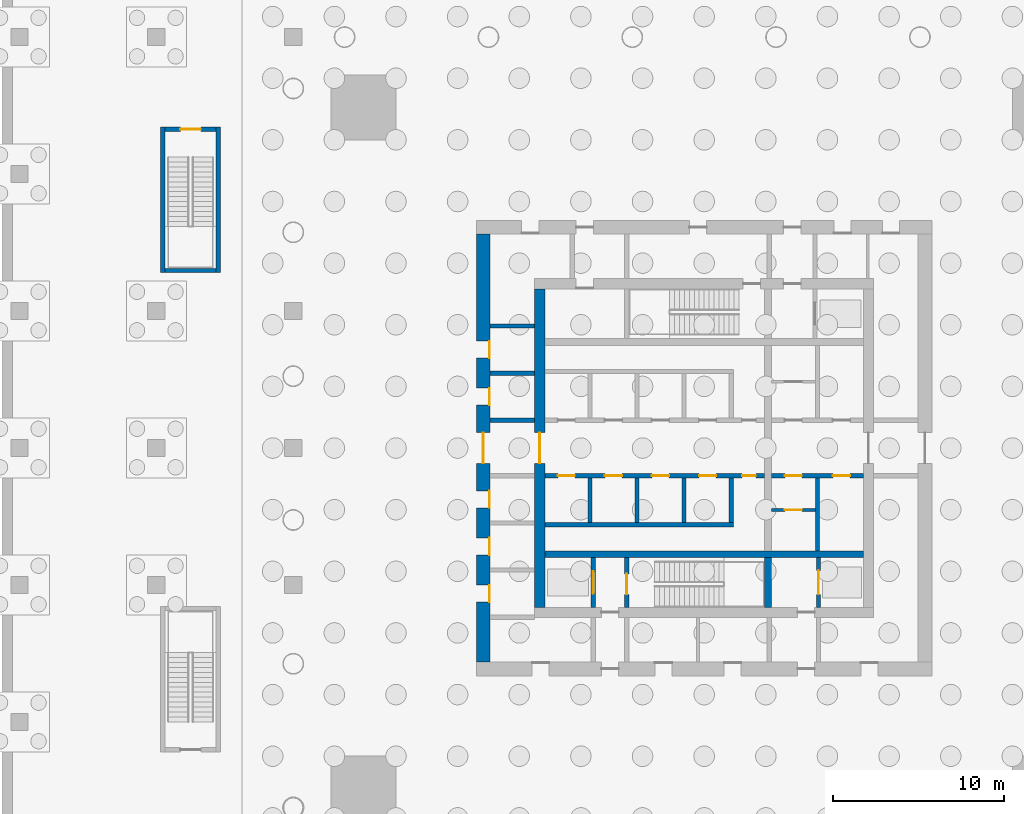
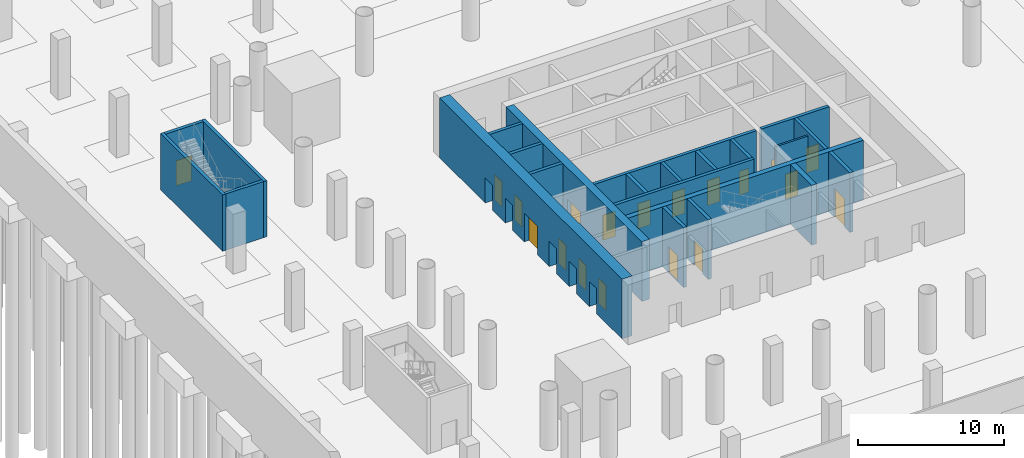
# One storey, part 12 of 24: 23 walls, 19 doors, 19 openings.
"""IFC4 building model written with IfcOpenShell, lengths in metres."""

from ifc_helpers import new_model, si_unit, direction, frame, frame_2d, origin, place, context, subcontext, project, spatial, rectangle, extrude, material, layer, layer_set, type_object, element, fill, save


model = new_model("IFC4")

# Units and contexts
model_context = context("Model", 3, precision=1e-05, world=origin(), true_north=direction((0.0, 1.0)))
body_context = subcontext(model_context, "Body", "Model", "MODEL_VIEW")
ifc_project = project(units=[si_unit("LENGTHUNIT", "METRE"), si_unit("AREAUNIT", "SQUARE_METRE"), si_unit("VOLUMEUNIT", "CUBIC_METRE"), si_unit("PLANEANGLEUNIT", "RADIAN"), si_unit("MASSUNIT", "GRAM", prefix="KILO")], contexts=[model_context])

# Site, building, storey
site_placement = place(None, origin())
site = spatial("IfcSite", under=ifc_project, at=site_placement, CompositionType="ELEMENT")
building_placement = place(site_placement, origin())
building = spatial("IfcBuilding", under=site, at=building_placement, Name="Ostroluk Exchange", CompositionType="ELEMENT")
storey_placement = place(building_placement, frame((0.0, 0.0, -10.0)))
storey = spatial("IfcBuildingStorey", under=building, at=storey_placement, Name="B2", CompositionType="ELEMENT", Elevation=-10.0)

# Wall, opening, door
ifc_material_1 = material(Name="Concrete blockwork", Category="masonry")
ifc_layer_1 = layer(ifc_material_1, 0.14990234375)
ifc_layer_set_1 = layer_set([ifc_layer_1], Name="Blockwork plant room wall 150")
wall_type_1 = type_object("IfcWallType", Name="Blockwork plant room wall 150", PredefinedType="SOLIDWALL", material=ifc_layer_set_1)
wall_1_placement = place(storey_placement, frame((48.929931640625, 42.3798828125, 0.0), z_axis=(0.0, 0.0, 1.0), x_axis=(1.0, 0.0, 0.0)))
wall_1 = element("IfcWall", 1, at=wall_1_placement, inside=storey, type_object=wall_type_1, Name="Core room wall", PredefinedType="SOLIDWALL", context=body_context, shape_type="SweptSolid", body=[
    extrude(rectangle(XDim=2.56005859375, YDim=0.14990234375, at=frame_2d((1.280029296875, 0.0))), origin(), (0.0, 0.0, 1.0), 4.699951171875),
])
opening_1_placement = place(wall_1_placement, frame((0.780029296875, 0.0, 0.0)))
opening_1 = element("IfcOpeningElement", 2, at=opening_1_placement, cuts=wall_1, Name="Opening FD60", PredefinedType="OPENING", context=body_context, shape_type="SweptSolid", body=[
    extrude(rectangle(XDim=1.0, YDim=2.10009765625, at=frame_2d((0.5, 1.050048828125))), frame((0.0, 0.0849609375, 0.0), z_axis=(0.0, -1.0, 0.0), x_axis=(1.0, 0.0, 0.0)), (0.0, 0.0, 1.0), 0.169921875),
])
ifc_material_2 = material(Name="Steel", Category="steel")
door_type_1 = type_object("IfcDoorType", Name="Fire door EI 60 1000 x 2100", OperationType="SINGLE_SWING_LEFT", PredefinedType="DOOR", material=ifc_material_2)
door_1_placement = place(opening_1_placement, origin())
door_1 = element("IfcDoor", 3, at=door_1_placement, inside=storey, type_object=door_type_1, Name="Cleaner's store door", OperationType="SINGLE_SWING_LEFT", OverallHeight=2.10009765625, OverallWidth=1.0, PredefinedType="DOOR", context=body_context, shape_type="SweptSolid", body=[
    extrude(rectangle(XDim=1.0, YDim=2.10009765625, at=frame_2d((0.5, 1.050048828125))), frame((0.0, 0.02490234375, 0.0), z_axis=(0.0, -1.0, 0.0), x_axis=(1.0, 0.0, 0.0)), (0.0, 0.0, 1.0), 0.050048828125),
])
fill(opening_1, door_1)

# Walls
ifc_material_3 = material(Name="Concrete blockwork", Category="masonry")
ifc_layer_2 = layer(ifc_material_3, 0.25)
ifc_layer_set_2 = layer_set([ifc_layer_2], Name="Blockwork stair enclosure wall 250")
wall_type_2 = type_object("IfcWallType", Name="Blockwork stair enclosure wall 250", PredefinedType="SOLIDWALL", material=ifc_layer_set_2)
for number, where, z_axis, x_axis, name in (
    (4, (13.375, 56.25, 0.0), (0.0, 0.0, 1.0), (0.0, 1.0, 0.0), "Stair PS2 enclosure wall"),
    (5, (16.625, 56.25, 0.0), (0.0, 0.0, 1.0), (0.0, 1.0, 0.0), "Stair PS2 enclosure wall"),
):
    element("IfcWall", number, at=place(storey_placement, frame(where, z_axis=z_axis, x_axis=x_axis)), inside=storey, type_object=wall_type_2, Name=name, PredefinedType="SOLIDWALL", context=body_context, shape_type="SweptSolid", body=[
        extrude(rectangle(XDim=8.5, YDim=0.25, at=frame_2d((4.25, 0.0))), origin(), (0.0, 0.0, 1.0), 4.699951171875),
    ])
wall_2_placement = place(storey_placement, frame((13.5, 56.375, 0.0), z_axis=(0.0, 0.0, 1.0), x_axis=(1.0, 0.0, 0.0)))
element("IfcWall", 6, at=wall_2_placement, inside=storey, type_object=wall_type_2, Name="Stair PS2 enclosure wall", PredefinedType="SOLIDWALL", context=body_context, shape_type="SweptSolid", body=[
    extrude(rectangle(XDim=3.0, YDim=0.25, at=frame_2d((1.5, 0.0))), origin(), (0.0, 0.0, 1.0), 4.699951171875),
])

# Wall, opening, door
wall_3_placement = place(storey_placement, frame((13.5, 64.625, 0.0), z_axis=(0.0, 0.0, 1.0), x_axis=(1.0, 0.0, 0.0)))
wall_3 = element("IfcWall", 7, at=wall_3_placement, inside=storey, type_object=wall_type_2, Name="Stair PS2 enclosure wall", PredefinedType="SOLIDWALL", context=body_context, shape_type="SweptSolid", body=[
    extrude(rectangle(XDim=3.0, YDim=0.25, at=frame_2d((1.5, 0.0))), origin(), (0.0, 0.0, 1.0), 4.699951171875),
])
opening_2_placement = place(wall_3_placement, frame((0.89990234375, 0.0, 0.0)))
opening_2 = element("IfcOpeningElement", 8, at=opening_2_placement, cuts=wall_3, Name="Opening FD60S", PredefinedType="OPENING", context=body_context, shape_type="SweptSolid", body=[
    extrude(rectangle(XDim=1.199951171875, YDim=2.10009765625, at=frame_2d((0.60009765625, 1.050048828125))), frame((0.0, 0.135009765625, 0.0), z_axis=(0.0, -1.0, 0.0), x_axis=(1.0, 0.0, 0.0)), (0.0, 0.0, 1.0), 0.27001953125),
])
ifc_material_4 = material(Name="Steel", Category="steel")
door_type_2 = type_object("IfcDoorType", Name="Stair door EI 60 1200 x 2100", OperationType="SINGLE_SWING_LEFT", PredefinedType="DOOR", material=ifc_material_4)
door_2_placement = place(opening_2_placement, origin())
door_2 = element("IfcDoor", 9, at=door_2_placement, inside=storey, type_object=door_type_2, Name="Stair PS2 door", OperationType="SINGLE_SWING_LEFT", OverallHeight=2.10009765625, OverallWidth=1.199951171875, PredefinedType="DOOR", context=body_context, shape_type="SweptSolid", body=[
    extrude(rectangle(XDim=1.199951171875, YDim=2.10009765625, at=frame_2d((0.60009765625, 1.050048828125))), frame((0.0, 0.02490234375, 0.0), z_axis=(0.0, -1.0, 0.0), x_axis=(1.0, 0.0, 0.0)), (0.0, 0.0, 1.0), 0.050048828125),
])
fill(opening_2, door_2)

# Walls
ifc_material_5 = material(Name="Concrete C50/60", Category="concrete")
ifc_layer_3 = layer(ifc_material_5, 0.39990234375)
ifc_layer_set_3 = layer_set([ifc_layer_3], Name="Core cross wall 400 C50/60")
wall_type_3 = type_object("IfcWallType", Name="Core cross wall 400 C50/60", PredefinedType="SHEAR", material=ifc_layer_set_3)
wall_4_placement = place(storey_placement, frame((35.699951171875, 39.800048828125, 0.0), z_axis=(0.0, 0.0, 1.0), x_axis=(1.0, 0.0, 0.0)))
element("IfcWall", 10, at=wall_4_placement, inside=storey, type_object=wall_type_3, Name="T1 core wall XS", PredefinedType="SHEAR", context=body_context, shape_type="SweptSolid", body=[
    extrude(rectangle(XDim=18.60009765625, YDim=0.39990234375, at=frame_2d((9.300048828125, 0.0))), origin(), (0.0, 0.0, 1.0), 5.0),
])
wall_5_placement = place(storey_placement, frame((48.72998046875, 36.699951171875, 0.0), z_axis=(0.0, 0.0, 1.0), x_axis=(0.0, 1.0, 0.0)))
element("IfcWall", 11, at=wall_5_placement, inside=storey, type_object=wall_type_3, Name="T1 core wall YE1", PredefinedType="SHEAR", context=body_context, shape_type="SweptSolid", body=[
    extrude(rectangle(XDim=2.900146484375, YDim=0.39990234375, at=frame_2d((1.4501953125, 0.0))), origin(), (0.0, 0.0, 1.0), 5.0),
])

# Wall, opening, door
ifc_material_6 = material(Name="Concrete C40/50", Category="concrete")
ifc_layer_4 = layer(ifc_material_6, 0.25)
ifc_layer_set_4 = layer_set([ifc_layer_4], Name="Core shaft wall 250")
wall_type_4 = type_object("IfcWallType", Name="Core shaft wall 250", PredefinedType="SHEAR", material=ifc_layer_set_4)
wall_6_placement = place(storey_placement, frame((38.52490234375, 36.699951171875, 0.0), z_axis=(0.0, 0.0, 1.0), x_axis=(0.0, 1.0, 0.0)))
wall_6 = element("IfcWall", 12, at=wall_6_placement, inside=storey, type_object=wall_type_4, Name="Firefighting lift shaft wall", PredefinedType="SHEAR", context=body_context, shape_type="SweptSolid", body=[
    extrude(rectangle(XDim=2.900146484375, YDim=0.25, at=frame_2d((1.4501953125, 0.0))), origin(), (0.0, 0.0, 1.0), 5.0),
])
opening_3_placement = place(wall_6_placement, frame((0.800048828125, 0.0, 0.0)))
opening_3 = element("IfcOpeningElement", 13, at=opening_3_placement, cuts=wall_6, Name="Opening LD2", PredefinedType="OPENING", context=body_context, shape_type="SweptSolid", body=[
    extrude(rectangle(XDim=1.300048828125, YDim=2.199951171875, at=frame_2d((0.64990234375, 1.10009765625))), frame((0.0, 0.135009765625, 0.0), z_axis=(0.0, -1.0, 0.0), x_axis=(1.0, 0.0, 0.0)), (0.0, 0.0, 1.0), 0.27001953125),
])
ifc_material_7 = material(Name="Stainless steel", Category="steel")
door_type_3 = type_object("IfcDoorType", Name="Lift landing door E 60 1300 x 2200", OperationType="DOUBLE_DOOR_SLIDING", PredefinedType="DOOR", material=ifc_material_7)
door_3_placement = place(opening_3_placement, origin())
door_3 = element("IfcDoor", 14, at=door_3_placement, inside=storey, type_object=door_type_3, Name="Lift FL1 landing door", OperationType="DOUBLE_DOOR_SLIDING", OverallHeight=2.199951171875, OverallWidth=1.300048828125, PredefinedType="DOOR", context=body_context, shape_type="SweptSolid", body=[
    extrude(rectangle(XDim=1.300048828125, YDim=2.199951171875, at=frame_2d((0.64990234375, 1.10009765625))), frame((0.0, 0.02490234375, 0.0), z_axis=(0.0, -1.0, 0.0), x_axis=(1.0, 0.0, 0.0)), (0.0, 0.0, 1.0), 0.050048828125),
])
fill(opening_3, door_3)

wall_7_placement = place(storey_placement, frame((40.47509765625, 36.699951171875, 0.0), z_axis=(0.0, 0.0, 1.0), x_axis=(0.0, 1.0, 0.0)))
wall_7 = element("IfcWall", 15, at=wall_7_placement, inside=storey, type_object=wall_type_4, Name="Stair shaft wall", PredefinedType="SHEAR", context=body_context, shape_type="SweptSolid", body=[
    extrude(rectangle(XDim=2.900146484375, YDim=0.25, at=frame_2d((1.4501953125, 0.0))), origin(), (0.0, 0.0, 1.0), 5.0),
])
opening_4_placement = place(wall_7_placement, frame((0.75, 0.0, 0.0)))
opening_4 = element("IfcOpeningElement", 16, at=opening_4_placement, cuts=wall_7, Name="Opening FD60S", PredefinedType="OPENING", context=body_context, shape_type="SweptSolid", body=[
    extrude(rectangle(XDim=1.199951171875, YDim=2.10009765625, at=frame_2d((0.60009765625, 1.050048828125))), frame((0.0, 0.135009765625, 0.0), z_axis=(0.0, -1.0, 0.0), x_axis=(1.0, 0.0, 0.0)), (0.0, 0.0, 1.0), 0.27001953125),
])
door_4_placement = place(opening_4_placement, origin())
door_4 = element("IfcDoor", 17, at=door_4_placement, inside=storey, type_object=door_type_2, Name="Stair T1-S1 door", OperationType="SINGLE_SWING_LEFT", OverallHeight=2.10009765625, OverallWidth=1.199951171875, PredefinedType="DOOR", context=body_context, shape_type="SweptSolid", body=[
    extrude(rectangle(XDim=1.199951171875, YDim=2.10009765625, at=frame_2d((0.60009765625, 1.050048828125))), frame((0.0, 0.02490234375, 0.0), z_axis=(0.0, -1.0, 0.0), x_axis=(1.0, 0.0, 0.0)), (0.0, 0.0, 1.0), 0.050048828125),
])
fill(opening_4, door_4)

wall_8_placement = place(storey_placement, frame((51.675048828125, 36.699951171875, 0.0), z_axis=(0.0, 0.0, 1.0), x_axis=(0.0, 1.0, 0.0)))
wall_8 = element("IfcWall", 18, at=wall_8_placement, inside=storey, type_object=wall_type_4, Name="Service lift shaft wall", PredefinedType="SHEAR", context=body_context, shape_type="SweptSolid", body=[
    extrude(rectangle(XDim=2.900146484375, YDim=0.25, at=frame_2d((1.4501953125, 0.0))), origin(), (0.0, 0.0, 1.0), 5.0),
])
opening_5_placement = place(wall_8_placement, frame((0.75, 0.0, 0.0)))
opening_5 = element("IfcOpeningElement", 19, at=opening_5_placement, cuts=wall_8, Name="Opening LD3", PredefinedType="OPENING", context=body_context, shape_type="SweptSolid", body=[
    extrude(rectangle(XDim=1.39990234375, YDim=2.39990234375, at=frame_2d((0.699951171875, 1.199951171875))), frame((0.0, 0.135009765625, 0.0), z_axis=(0.0, -1.0, 0.0), x_axis=(1.0, 0.0, 0.0)), (0.0, 0.0, 1.0), 0.27001953125),
])
ifc_material_8 = material(Name="Stainless steel", Category="steel")
door_type_4 = type_object("IfcDoorType", Name="Goods lift landing door E 60 1400 x 2400", OperationType="DOUBLE_DOOR_SLIDING", PredefinedType="DOOR", material=ifc_material_8)
door_5_placement = place(opening_5_placement, origin())
door_5 = element("IfcDoor", 20, at=door_5_placement, inside=storey, type_object=door_type_4, Name="Lift SL1 landing door", OperationType="DOUBLE_DOOR_SLIDING", OverallHeight=2.39990234375, OverallWidth=1.39990234375, PredefinedType="DOOR", context=body_context, shape_type="SweptSolid", body=[
    extrude(rectangle(XDim=1.39990234375, YDim=2.39990234375, at=frame_2d((0.699951171875, 1.199951171875))), frame((0.0, 0.02490234375, 0.0), z_axis=(0.0, -1.0, 0.0), x_axis=(1.0, 0.0, 0.0)), (0.0, 0.0, 1.0), 0.050048828125),
])
fill(opening_5, door_5)

# Walls
for number, where, z_axis, x_axis, name in (
    (21, (38.324951171875, 44.25, 0.0), (0.0, 0.0, 1.0), (0.0, -1.0, 0.0), "Lift shaft wall"),
    (22, (41.074951171875, 44.25, 0.0), (0.0, 0.0, 1.0), (0.0, -1.0, 0.0), "Lift shaft wall"),
    (23, (43.824951171875, 44.25, 0.0), (0.0, 0.0, 1.0), (0.0, -1.0, 0.0), "Lift shaft wall"),
    (24, (46.574951171875, 44.25, 0.0), (0.0, 0.0, 1.0), (0.0, -1.0, 0.0), "Lift shaft wall"),
):
    element("IfcWall", number, at=place(storey_placement, frame(where, z_axis=z_axis, x_axis=x_axis)), inside=storey, type_object=wall_type_4, Name=name, PredefinedType="SHEAR", context=body_context, shape_type="SweptSolid", body=[
        extrude(rectangle(XDim=2.60009765625, YDim=0.25, at=frame_2d((1.300048828125, 0.0))), origin(), (0.0, 0.0, 1.0), 5.0),
    ])
wall_9_placement = place(storey_placement, frame((35.699951171875, 41.52490234375, 0.0), z_axis=(0.0, 0.0, 1.0), x_axis=(1.0, 0.0, 0.0)))
element("IfcWall", 25, at=wall_9_placement, inside=storey, type_object=wall_type_4, Name="Lift shaft wall", PredefinedType="SHEAR", context=body_context, shape_type="SweptSolid", body=[
    extrude(rectangle(XDim=11.0, YDim=0.25, at=frame_2d((5.5, 0.0))), origin(), (0.0, 0.0, 1.0), 5.0),
])

# Wall, openings, doors
wall_10_placement = place(storey_placement, frame((35.699951171875, 44.375, 0.0), z_axis=(0.0, 0.0, 1.0), x_axis=(1.0, 0.0, 0.0)))
wall_10 = element("IfcWall", 26, at=wall_10_placement, inside=storey, type_object=wall_type_4, Name="Lift shaft front wall", PredefinedType="SHEAR", context=body_context, shape_type="SweptSolid", body=[
    extrude(rectangle(XDim=12.830078125, YDim=0.25, at=frame_2d((6.4150390625, 0.0))), origin(), (0.0, 0.0, 1.0), 5.0),
])
opening_6_placement = place(wall_10_placement, frame((0.75, 0.0, 0.0)))
opening_6 = element("IfcOpeningElement", 27, at=opening_6_placement, cuts=wall_10, Name="Opening FD60", PredefinedType="OPENING", context=body_context, shape_type="SweptSolid", body=[
    extrude(rectangle(XDim=1.0, YDim=2.10009765625, at=frame_2d((0.5, 1.050048828125))), frame((0.0, 0.135009765625, 0.0), z_axis=(0.0, -1.0, 0.0), x_axis=(1.0, 0.0, 0.0)), (0.0, 0.0, 1.0), 0.27001953125),
])
opening_7_placement = place(wall_10_placement, frame((3.5, 0.0, 0.0)))
opening_7 = element("IfcOpeningElement", 28, at=opening_7_placement, cuts=wall_10, Name="Opening FD60", PredefinedType="OPENING", context=body_context, shape_type="SweptSolid", body=[
    extrude(rectangle(XDim=1.0, YDim=2.10009765625, at=frame_2d((0.5, 1.050048828125))), frame((0.0, 0.135009765625, 0.0), z_axis=(0.0, -1.0, 0.0), x_axis=(1.0, 0.0, 0.0)), (0.0, 0.0, 1.0), 0.27001953125),
])
opening_8_placement = place(wall_10_placement, frame((6.25, 0.0, 0.0)))
opening_8 = element("IfcOpeningElement", 29, at=opening_8_placement, cuts=wall_10, Name="Opening FD60", PredefinedType="OPENING", context=body_context, shape_type="SweptSolid", body=[
    extrude(rectangle(XDim=1.0, YDim=2.10009765625, at=frame_2d((0.5, 1.050048828125))), frame((0.0, 0.135009765625, 0.0), z_axis=(0.0, -1.0, 0.0), x_axis=(1.0, 0.0, 0.0)), (0.0, 0.0, 1.0), 0.27001953125),
])
opening_9_placement = place(wall_10_placement, frame((9.0, 0.0, 0.0)))
opening_9 = element("IfcOpeningElement", 30, at=opening_9_placement, cuts=wall_10, Name="Opening FD60", PredefinedType="OPENING", context=body_context, shape_type="SweptSolid", body=[
    extrude(rectangle(XDim=1.0, YDim=2.10009765625, at=frame_2d((0.5, 1.050048828125))), frame((0.0, 0.135009765625, 0.0), z_axis=(0.0, -1.0, 0.0), x_axis=(1.0, 0.0, 0.0)), (0.0, 0.0, 1.0), 0.27001953125),
])
opening_10_placement = place(wall_10_placement, frame((11.514892578125, 0.0, 0.0)))
opening_10 = element("IfcOpeningElement", 31, at=opening_10_placement, cuts=wall_10, Name="Opening RD60", PredefinedType="OPENING", context=body_context, shape_type="SweptSolid", body=[
    extrude(rectangle(XDim=0.800048828125, YDim=2.0, at=frame_2d((0.39990234375, 1.0))), frame((0.0, 0.135009765625, 0.0), z_axis=(0.0, -1.0, 0.0), x_axis=(1.0, 0.0, 0.0)), (0.0, 0.0, 1.0), 0.27001953125),
])
door_6_placement = place(opening_6_placement, origin())
door_6 = element("IfcDoor", 32, at=door_6_placement, inside=storey, type_object=door_type_1, Name="Core room door", OperationType="SINGLE_SWING_LEFT", OverallHeight=2.10009765625, OverallWidth=1.0, PredefinedType="DOOR", context=body_context, shape_type="SweptSolid", body=[
    extrude(rectangle(XDim=1.0, YDim=2.10009765625, at=frame_2d((0.5, 1.050048828125))), frame((0.0, 0.02490234375, 0.0), z_axis=(0.0, -1.0, 0.0), x_axis=(1.0, 0.0, 0.0)), (0.0, 0.0, 1.0), 0.050048828125),
])
fill(opening_6, door_6)
door_7_placement = place(opening_7_placement, origin())
door_7 = element("IfcDoor", 33, at=door_7_placement, inside=storey, type_object=door_type_1, Name="Core room door", OperationType="SINGLE_SWING_LEFT", OverallHeight=2.10009765625, OverallWidth=1.0, PredefinedType="DOOR", context=body_context, shape_type="SweptSolid", body=[
    extrude(rectangle(XDim=1.0, YDim=2.10009765625, at=frame_2d((0.5, 1.050048828125))), frame((0.0, 0.02490234375, 0.0), z_axis=(0.0, -1.0, 0.0), x_axis=(1.0, 0.0, 0.0)), (0.0, 0.0, 1.0), 0.050048828125),
])
fill(opening_7, door_7)
door_8_placement = place(opening_8_placement, origin())
door_8 = element("IfcDoor", 34, at=door_8_placement, inside=storey, type_object=door_type_1, Name="Core room door", OperationType="SINGLE_SWING_RIGHT", OverallHeight=2.10009765625, OverallWidth=1.0, PredefinedType="DOOR", context=body_context, shape_type="SweptSolid", body=[
    extrude(rectangle(XDim=1.0, YDim=2.10009765625, at=frame_2d((0.5, 1.050048828125))), frame((0.0, 0.02490234375, 0.0), z_axis=(0.0, -1.0, 0.0), x_axis=(1.0, 0.0, 0.0)), (0.0, 0.0, 1.0), 0.050048828125),
])
fill(opening_8, door_8)
door_9_placement = place(opening_9_placement, origin())
door_9 = element("IfcDoor", 35, at=door_9_placement, inside=storey, type_object=door_type_1, Name="Core room door", OperationType="SINGLE_SWING_RIGHT", OverallHeight=2.10009765625, OverallWidth=1.0, PredefinedType="DOOR", context=body_context, shape_type="SweptSolid", body=[
    extrude(rectangle(XDim=1.0, YDim=2.10009765625, at=frame_2d((0.5, 1.050048828125))), frame((0.0, 0.02490234375, 0.0), z_axis=(0.0, -1.0, 0.0), x_axis=(1.0, 0.0, 0.0)), (0.0, 0.0, 1.0), 0.050048828125),
])
fill(opening_9, door_9)
ifc_material_9 = material(Name="Steel", Category="steel")
door_type_5 = type_object("IfcDoorType", Name="Riser access door EI 60 800 x 2000", OperationType="SINGLE_SWING_LEFT", PredefinedType="DOOR", material=ifc_material_9)
door_10_placement = place(opening_10_placement, origin())
door_10 = element("IfcDoor", 36, at=door_10_placement, inside=storey, type_object=door_type_5, Name="Riser access door", OperationType="SINGLE_SWING_RIGHT", OverallHeight=2.0, OverallWidth=0.800048828125, PredefinedType="DOOR", context=body_context, shape_type="SweptSolid", body=[
    extrude(rectangle(XDim=0.800048828125, YDim=2.0, at=frame_2d((0.39990234375, 1.0))), frame((0.0, 0.02490234375, 0.0), z_axis=(0.0, -1.0, 0.0), x_axis=(1.0, 0.0, 0.0)), (0.0, 0.0, 1.0), 0.050048828125),
])
fill(opening_10, door_10)

# Wall
wall_11_placement = place(storey_placement, frame((51.614990234375, 44.25, 0.0), z_axis=(0.0, 0.0, 1.0), x_axis=(0.0, -1.0, 0.0)))
element("IfcWall", 37, at=wall_11_placement, inside=storey, type_object=wall_type_4, Name="Lift shaft wall", PredefinedType="SHEAR", context=body_context, shape_type="SweptSolid", body=[
    extrude(rectangle(XDim=4.25, YDim=0.25, at=frame_2d((2.125, 0.0))), origin(), (0.0, 0.0, 1.0), 5.0),
])

# Wall, openings, doors
wall_12_placement = place(storey_placement, frame((48.929931640625, 44.375, 0.0), z_axis=(0.0, 0.0, 1.0), x_axis=(1.0, 0.0, 0.0)))
wall_12 = element("IfcWall", 38, at=wall_12_placement, inside=storey, type_object=wall_type_4, Name="Lift shaft front wall", PredefinedType="SHEAR", context=body_context, shape_type="SweptSolid", body=[
    extrude(rectangle(XDim=5.3701171875, YDim=0.25, at=frame_2d((2.68505859375, 0.0))), origin(), (0.0, 0.0, 1.0), 5.0),
])
opening_11_placement = place(wall_12_placement, frame((0.780029296875, 0.0, 0.0)))
opening_11 = element("IfcOpeningElement", 39, at=opening_11_placement, cuts=wall_12, Name="Opening FD60", PredefinedType="OPENING", context=body_context, shape_type="SweptSolid", body=[
    extrude(rectangle(XDim=1.0, YDim=2.10009765625, at=frame_2d((0.5, 1.050048828125))), frame((0.0, 0.135009765625, 0.0), z_axis=(0.0, -1.0, 0.0), x_axis=(1.0, 0.0, 0.0)), (0.0, 0.0, 1.0), 0.27001953125),
])
opening_12_placement = place(wall_12_placement, frame((3.590087890625, 0.0, 0.0)))
opening_12 = element("IfcOpeningElement", 40, at=opening_12_placement, cuts=wall_12, Name="Opening FD60", PredefinedType="OPENING", context=body_context, shape_type="SweptSolid", body=[
    extrude(rectangle(XDim=1.0, YDim=2.10009765625, at=frame_2d((0.5, 1.050048828125))), frame((0.0, 0.135009765625, 0.0), z_axis=(0.0, -1.0, 0.0), x_axis=(1.0, 0.0, 0.0)), (0.0, 0.0, 1.0), 0.27001953125),
])
door_11_placement = place(opening_11_placement, origin())
door_11 = element("IfcDoor", 41, at=door_11_placement, inside=storey, type_object=door_type_1, Name="Core room door", OperationType="SINGLE_SWING_LEFT", OverallHeight=2.10009765625, OverallWidth=1.0, PredefinedType="DOOR", context=body_context, shape_type="SweptSolid", body=[
    extrude(rectangle(XDim=1.0, YDim=2.10009765625, at=frame_2d((0.5, 1.050048828125))), frame((0.0, 0.02490234375, 0.0), z_axis=(0.0, -1.0, 0.0), x_axis=(1.0, 0.0, 0.0)), (0.0, 0.0, 1.0), 0.050048828125),
])
fill(opening_11, door_11)
door_12_placement = place(opening_12_placement, origin())
door_12 = element("IfcDoor", 42, at=door_12_placement, inside=storey, type_object=door_type_1, Name="Core room door", OperationType="SINGLE_SWING_RIGHT", OverallHeight=2.10009765625, OverallWidth=1.0, PredefinedType="DOOR", context=body_context, shape_type="SweptSolid", body=[
    extrude(rectangle(XDim=1.0, YDim=2.10009765625, at=frame_2d((0.5, 1.050048828125))), frame((0.0, 0.02490234375, 0.0), z_axis=(0.0, -1.0, 0.0), x_axis=(1.0, 0.0, 0.0)), (0.0, 0.0, 1.0), 0.050048828125),
])
fill(opening_12, door_12)

# Walls
for number, where, z_axis, x_axis, name in (
    (43, (32.5, 47.625, 0.0), (0.0, 0.0, 1.0), (1.0, 0.0, 0.0), "Lift shaft wall"),
    (44, (32.5, 50.375, 0.0), (0.0, 0.0, 1.0), (1.0, 0.0, 0.0), "Lift shaft wall"),
    (45, (32.5, 53.125, 0.0), (0.0, 0.0, 1.0), (1.0, 0.0, 0.0), "Lift shaft wall"),
):
    element("IfcWall", number, at=place(storey_placement, frame(where, z_axis=z_axis, x_axis=x_axis)), inside=storey, type_object=wall_type_4, Name=name, PredefinedType="SHEAR", context=body_context, shape_type="SweptSolid", body=[
        extrude(rectangle(XDim=2.60009765625, YDim=0.25, at=frame_2d((1.300048828125, 0.0))), origin(), (0.0, 0.0, 1.0), 5.0),
    ])

# Wall, opening, door
ifc_material_10 = material(Name="Concrete C50/60", Category="concrete")
ifc_layer_5 = layer(ifc_material_10, 0.60009765625)
ifc_layer_set_5 = layer_set([ifc_layer_5], Name="Core wall 600 C50/60")
wall_type_5 = type_object("IfcWallType", Name="Core wall 600 C50/60", PredefinedType="SHEAR", material=ifc_layer_set_5)
wall_13_placement = place(storey_placement, frame((35.39990234375, 36.699951171875, 0.0), z_axis=(0.0, 0.0, 1.0), x_axis=(0.0, 1.0, 0.0)))
wall_13 = element("IfcWall", 46, at=wall_13_placement, inside=storey, type_object=wall_type_5, Name="T1 core wall W", PredefinedType="SHEAR", context=body_context, shape_type="SweptSolid", body=[
    extrude(rectangle(XDim=18.60009765625, YDim=0.60009765625, at=frame_2d((9.300048828125, 0.0))), origin(), (0.0, 0.0, 1.0), 5.0),
])
opening_13_placement = place(wall_13_placement, frame((8.39990234375, 0.0, 0.0)))
opening_13 = element("IfcOpeningElement", 47, at=opening_13_placement, cuts=wall_13, Name="Opening FD30D", PredefinedType="OPENING", context=body_context, shape_type="SweptSolid", body=[
    extrude(rectangle(XDim=1.800048828125, YDim=2.39990234375, at=frame_2d((0.89990234375, 1.199951171875))), frame((0.0, 0.31005859375, 0.0), z_axis=(0.0, -1.0, 0.0), x_axis=(1.0, 0.0, 0.0)), (0.0, 0.0, 1.0), 0.6201171875),
])
ifc_material_11 = material(Name="Timber", Category="wood")
door_type_6 = type_object("IfcDoorType", Name="Lobby double door EI 30 1800 x 2400", OperationType="DOUBLE_DOOR_SINGLE_SWING", PredefinedType="DOOR", material=ifc_material_11)
door_13_placement = place(opening_13_placement, origin())
door_13 = element("IfcDoor", 48, at=door_13_placement, inside=storey, type_object=door_type_6, Name="Lift lobby doors", OperationType="DOUBLE_DOOR_SINGLE_SWING", OverallHeight=2.39990234375, OverallWidth=1.800048828125, PredefinedType="DOOR", context=body_context, shape_type="SweptSolid", body=[
    extrude(rectangle(XDim=1.800048828125, YDim=2.39990234375, at=frame_2d((0.89990234375, 1.199951171875))), frame((0.0, 0.02490234375, 0.0), z_axis=(0.0, -1.0, 0.0), x_axis=(1.0, 0.0, 0.0)), (0.0, 0.0, 1.0), 0.050048828125),
])
fill(opening_13, door_13)

# Wall, openings, doors
ifc_material_12 = material(Name="Concrete C50/60", Category="concrete")
ifc_layer_6 = layer(ifc_material_12, 0.800048828125)
ifc_layer_set_6 = layer_set([ifc_layer_6], Name="Core wall 800 C50/60")
wall_type_6 = type_object("IfcWallType", Name="Core wall 800 C50/60", PredefinedType="SHEAR", material=ifc_layer_set_6)
wall_14_placement = place(storey_placement, frame((32.10009765625, 33.5, 0.0), z_axis=(0.0, 0.0, 1.0), x_axis=(0.0, 1.0, 0.0)))
wall_14 = element("IfcWall", 49, at=wall_14_placement, inside=storey, type_object=wall_type_6, Name="T1 core wall RW", PredefinedType="SHEAR", context=body_context, shape_type="SweptSolid", body=[
    extrude(rectangle(XDim=25.0, YDim=0.800048828125, at=frame_2d((12.5, 0.0))), origin(), (0.0, 0.0, 1.0), 5.0),
])
opening_14_placement = place(wall_14_placement, frame((11.60009765625, 0.0, 0.0)))
opening_14 = element("IfcOpeningElement", 50, at=opening_14_placement, cuts=wall_14, Name="Opening FD30D", PredefinedType="OPENING", context=body_context, shape_type="SweptSolid", body=[
    extrude(rectangle(XDim=1.800048828125, YDim=2.39990234375, at=frame_2d((0.89990234375, 1.199951171875))), frame((0.0, 0.409912109375, 0.0), z_axis=(0.0, -1.0, 0.0), x_axis=(1.0, 0.0, 0.0)), (0.0, 0.0, 1.0), 0.820068359375),
])
opening_15_placement = place(wall_14_placement, frame((3.5, 0.0, 0.0)))
opening_15 = element("IfcOpeningElement", 51, at=opening_15_placement, cuts=wall_14, Name="Opening FD60", PredefinedType="OPENING", context=body_context, shape_type="SweptSolid", body=[
    extrude(rectangle(XDim=1.0, YDim=2.10009765625, at=frame_2d((0.5, 1.050048828125))), frame((0.0, 0.409912109375, 0.0), z_axis=(0.0, -1.0, 0.0), x_axis=(1.0, 0.0, 0.0)), (0.0, 0.0, 1.0), 0.820068359375),
])
opening_16_placement = place(wall_14_placement, frame((6.25, 0.0, 0.0)))
opening_16 = element("IfcOpeningElement", 52, at=opening_16_placement, cuts=wall_14, Name="Opening FD60", PredefinedType="OPENING", context=body_context, shape_type="SweptSolid", body=[
    extrude(rectangle(XDim=1.0, YDim=2.10009765625, at=frame_2d((0.5, 1.050048828125))), frame((0.0, 0.409912109375, 0.0), z_axis=(0.0, -1.0, 0.0), x_axis=(1.0, 0.0, 0.0)), (0.0, 0.0, 1.0), 0.820068359375),
])
opening_17_placement = place(wall_14_placement, frame((9.0, 0.0, 0.0)))
opening_17 = element("IfcOpeningElement", 53, at=opening_17_placement, cuts=wall_14, Name="Opening FD60", PredefinedType="OPENING", context=body_context, shape_type="SweptSolid", body=[
    extrude(rectangle(XDim=1.0, YDim=2.10009765625, at=frame_2d((0.5, 1.050048828125))), frame((0.0, 0.409912109375, 0.0), z_axis=(0.0, -1.0, 0.0), x_axis=(1.0, 0.0, 0.0)), (0.0, 0.0, 1.0), 0.820068359375),
])
opening_18_placement = place(wall_14_placement, frame((15.0, 0.0, 0.0)))
opening_18 = element("IfcOpeningElement", 54, at=opening_18_placement, cuts=wall_14, Name="Opening FD60", PredefinedType="OPENING", context=body_context, shape_type="SweptSolid", body=[
    extrude(rectangle(XDim=1.0, YDim=2.10009765625, at=frame_2d((0.5, 1.050048828125))), frame((0.0, 0.409912109375, 0.0), z_axis=(0.0, -1.0, 0.0), x_axis=(1.0, 0.0, 0.0)), (0.0, 0.0, 1.0), 0.820068359375),
])
opening_19_placement = place(wall_14_placement, frame((17.75, 0.0, 0.0)))
opening_19 = element("IfcOpeningElement", 55, at=opening_19_placement, cuts=wall_14, Name="Opening FD60", PredefinedType="OPENING", context=body_context, shape_type="SweptSolid", body=[
    extrude(rectangle(XDim=1.0, YDim=2.10009765625, at=frame_2d((0.5, 1.050048828125))), frame((0.0, 0.409912109375, 0.0), z_axis=(0.0, -1.0, 0.0), x_axis=(1.0, 0.0, 0.0)), (0.0, 0.0, 1.0), 0.820068359375),
])
door_14_placement = place(opening_15_placement, origin())
door_14 = element("IfcDoor", 56, at=door_14_placement, inside=storey, type_object=door_type_1, Name="Cleaner's store door", OperationType="SINGLE_SWING_LEFT", OverallHeight=2.10009765625, OverallWidth=1.0, PredefinedType="DOOR", context=body_context, shape_type="SweptSolid", body=[
    extrude(rectangle(XDim=1.0, YDim=2.10009765625, at=frame_2d((0.5, 1.050048828125))), frame((0.0, -0.33984375, 0.0), z_axis=(0.0, -1.0, 0.0), x_axis=(1.0, 0.0, 0.0)), (0.0, 0.0, 1.0), 0.050048828125),
])
fill(opening_15, door_14)
door_15_placement = place(opening_16_placement, origin())
door_15 = element("IfcDoor", 57, at=door_15_placement, inside=storey, type_object=door_type_1, Name="Store door", OperationType="SINGLE_SWING_LEFT", OverallHeight=2.10009765625, OverallWidth=1.0, PredefinedType="DOOR", context=body_context, shape_type="SweptSolid", body=[
    extrude(rectangle(XDim=1.0, YDim=2.10009765625, at=frame_2d((0.5, 1.050048828125))), frame((0.0, -0.33984375, 0.0), z_axis=(0.0, -1.0, 0.0), x_axis=(1.0, 0.0, 0.0)), (0.0, 0.0, 1.0), 0.050048828125),
])
fill(opening_16, door_15)
door_16_placement = place(opening_17_placement, origin())
door_16 = element("IfcDoor", 58, at=door_16_placement, inside=storey, type_object=door_type_1, Name="Cleaner's store door", OperationType="SINGLE_SWING_LEFT", OverallHeight=2.10009765625, OverallWidth=1.0, PredefinedType="DOOR", context=body_context, shape_type="SweptSolid", body=[
    extrude(rectangle(XDim=1.0, YDim=2.10009765625, at=frame_2d((0.5, 1.050048828125))), frame((0.0, -0.33984375, 0.0), z_axis=(0.0, -1.0, 0.0), x_axis=(1.0, 0.0, 0.0)), (0.0, 0.0, 1.0), 0.050048828125),
])
fill(opening_17, door_16)
door_17_placement = place(opening_18_placement, origin())
door_17 = element("IfcDoor", 59, at=door_17_placement, inside=storey, type_object=door_type_1, Name="Store door", OperationType="SINGLE_SWING_RIGHT", OverallHeight=2.10009765625, OverallWidth=1.0, PredefinedType="DOOR", context=body_context, shape_type="SweptSolid", body=[
    extrude(rectangle(XDim=1.0, YDim=2.10009765625, at=frame_2d((0.5, 1.050048828125))), frame((0.0, -0.33984375, 0.0), z_axis=(0.0, -1.0, 0.0), x_axis=(1.0, 0.0, 0.0)), (0.0, 0.0, 1.0), 0.050048828125),
])
fill(opening_18, door_17)
door_18_placement = place(opening_19_placement, origin())
door_18 = element("IfcDoor", 60, at=door_18_placement, inside=storey, type_object=door_type_1, Name="Cleaner's store door", OperationType="SINGLE_SWING_RIGHT", OverallHeight=2.10009765625, OverallWidth=1.0, PredefinedType="DOOR", context=body_context, shape_type="SweptSolid", body=[
    extrude(rectangle(XDim=1.0, YDim=2.10009765625, at=frame_2d((0.5, 1.050048828125))), frame((0.0, -0.33984375, 0.0), z_axis=(0.0, -1.0, 0.0), x_axis=(1.0, 0.0, 0.0)), (0.0, 0.0, 1.0), 0.050048828125),
])
fill(opening_19, door_18)
door_19_placement = place(opening_14_placement, origin())
door_19 = element("IfcDoor", 61, at=door_19_placement, inside=storey, type_object=door_type_6, Name="Lift lobby doors", OperationType="DOUBLE_DOOR_SINGLE_SWING", OverallHeight=2.39990234375, OverallWidth=1.800048828125, PredefinedType="DOOR", context=body_context, shape_type="SweptSolid", body=[
    extrude(rectangle(XDim=1.800048828125, YDim=2.39990234375, at=frame_2d((0.89990234375, 1.199951171875))), frame((0.0, 0.02490234375, 0.0), z_axis=(0.0, -1.0, 0.0), x_axis=(1.0, 0.0, 0.0)), (0.0, 0.0, 1.0), 0.050048828125),
])
fill(opening_14, door_19)

save(model, "model.ifc")
